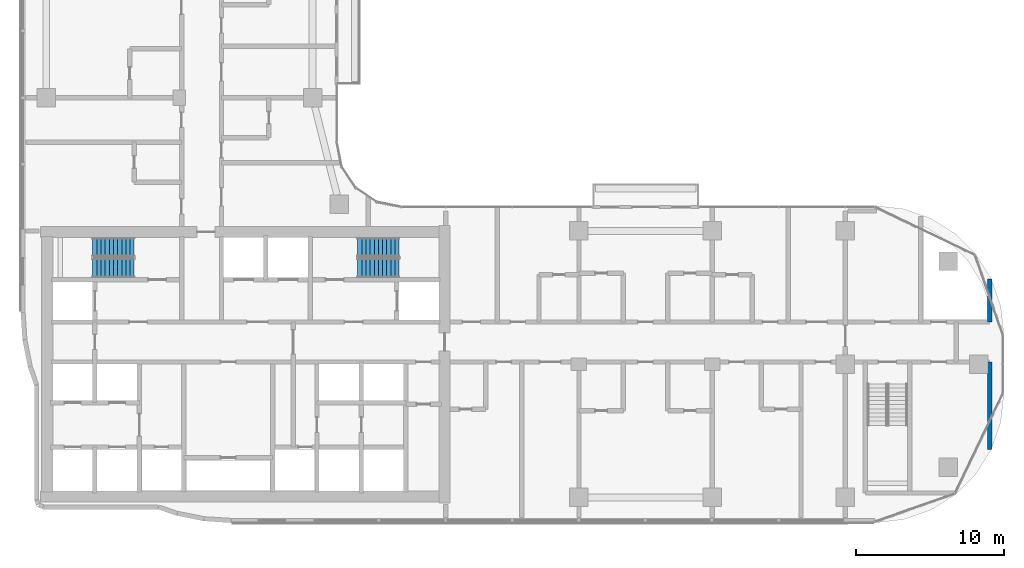
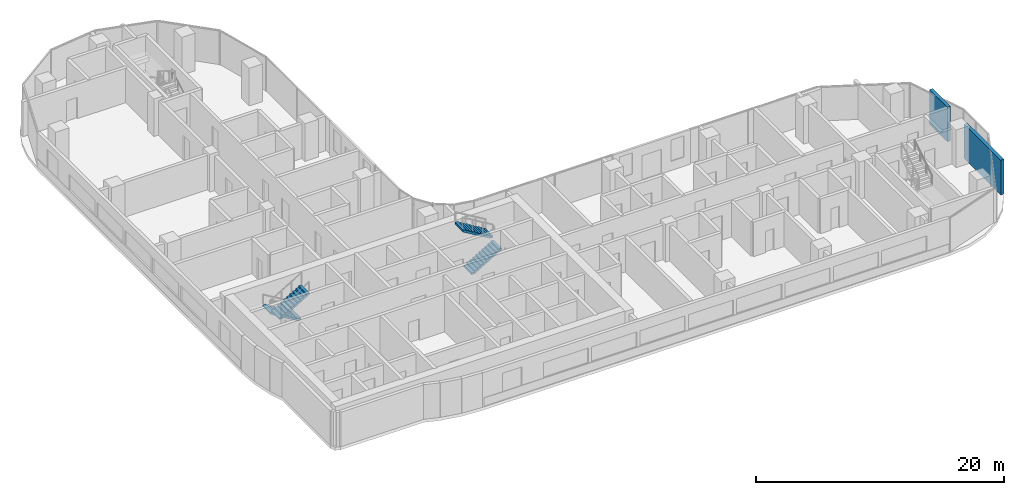
# One storey, part 14 of 23: 4 stair flights, 2 walls, 2 elements without a shape of their own.
"""IFC4 building model written with IfcOpenShell, lengths in metres."""

from ifc_helpers import new_model, si_unit, direction, frame, frame_2d, origin, place, context, subcontext, project, spatial, rectangle, extrude, triangles, source, transform, mapped, material, layer, layer_set, type_object, element, aggregate, save


model = new_model("IFC4")

# Units and contexts
model_context = context("Model", 3, precision=1e-05, world=origin(), true_north=direction((0.0, 1.0)))
body_context = subcontext(model_context, "Body", "Model", "MODEL_VIEW")
ifc_project = project(units=[si_unit("LENGTHUNIT", "METRE"), si_unit("AREAUNIT", "SQUARE_METRE"), si_unit("VOLUMEUNIT", "CUBIC_METRE"), si_unit("PLANEANGLEUNIT", "RADIAN"), si_unit("MASSUNIT", "GRAM", prefix="KILO")], contexts=[model_context])

# Site, building, storey
site_placement = place(None, origin())
site = spatial("IfcSite", under=ifc_project, at=site_placement, CompositionType="ELEMENT")
building_placement = place(site_placement, origin())
building = spatial("IfcBuilding", under=site, at=building_placement, Name="Ogive Portal Towers", CompositionType="ELEMENT")
storey_placement = place(building_placement, frame((0.0, 0.0, 127.800048828125)))
storey = spatial("IfcBuildingStorey", under=building, at=storey_placement, Name="L31", CompositionType="ELEMENT", Elevation=127.800048828125)

# Walls
ifc_material_1 = material(Name="Gypsum board partition on steel studs", Category="steel")
ifc_layer = layer(ifc_material_1, 0.300048828125)
ifc_layer_set = layer_set([ifc_layer], Name="WT-PART-300-EI 60")
wall_type = type_object("IfcWallType", Name="WT-PART-300-EI 60", PredefinedType="PARTITIONING", material=ifc_layer_set)
wall_1_placement = place(storey_placement, frame((95.25, 24.75390625, 0.0), z_axis=(0.0, 0.0, 1.0), x_axis=(0.0, 1.0, 0.0)))
element("IfcWall", 1, at=wall_1_placement, inside=storey, type_object=wall_type, Name="Wall L31:w066", PredefinedType="PARTITIONING", context=body_context, shape_type="SweptSolid", body=[
    extrude(rectangle(XDim=5.89599609375, YDim=0.300048828125, at=frame_2d((2.947998046875, 0.0))), origin(), (0.0, 0.0, 1.0), 3.39990234375),
])
wall_2_placement = place(storey_placement, frame((95.25, 33.35009765625, 0.0), z_axis=(0.0, 0.0, 1.0), x_axis=(0.0, 1.0, 0.0)))
element("IfcWall", 2, at=wall_2_placement, inside=storey, type_object=wall_type, Name="Wall L31:w067", PredefinedType="PARTITIONING", context=body_context, shape_type="SweptSolid", body=[
    extrude(rectangle(XDim=2.89599609375, YDim=0.300048828125, at=frame_2d((1.447998046875, 0.0))), origin(), (0.0, 0.0, 1.0), 3.39990234375),
])

# Stair, stair flights
ifc_material_2 = material(Name="Concrete C40/50", Category="concrete")
stair_type = type_object("IfcStairType", Name="INT-STAIR", PredefinedType="HALF_TURN_STAIR", material=ifc_material_2)
stair_1_placement = place(storey_placement, origin())
stair_1 = element("IfcStair", 3, at=stair_1_placement, inside=storey, type_object=stair_type, Name="L31 Exit Stair ST-A1", PredefinedType="HALF_TURN_STAIR")
stair_flight_type = type_object("IfcStairFlightType", Name="INT-FLIGHT", PredefinedType="STRAIGHT", material=ifc_material_2)
shared_shape = source(origin(), body_context, "Body", "Tessellation", [
    triangles([(0.0, -0.650146484375, 0.0), (0.0, -0.376220703125, 0.0), (0.0, -0.192626953125, 0.0), (0.0, -0.081298828125, 0.0), (0.0, -0.024169921875, 0.0), (0.0, -0.003173828125, 0.0), (0.0, 0.0, 0.0), (0.0, 0.0029296875, 0.0), (0.0, 0.02392578125, 0.0), (0.0, 0.0810546875, 0.0), (0.0, 0.1923828125, 0.0), (0.0, 0.3759765625, 0.0), (0.0, 0.64990234375, 0.0), (0.0, -0.650146484375, 0.168212890625), (0.0, -0.376220703125, 0.168212890625), (0.0, -0.192626953125, 0.168212890625), (0.0, -0.081298828125, 0.168212890625), (0.0, -0.024169921875, 0.168212890625), (0.0, -0.003173828125, 0.168212890625), (0.0, 0.0, 0.168212890625), (0.0, 0.0029296875, 0.168212890625), (0.0, 0.02392578125, 0.168212890625), (0.0, 0.0810546875, 0.168212890625), (0.0, 0.1923828125, 0.168212890625), (0.0, 0.3759765625, 0.168212890625), (0.0, 0.64990234375, 0.168212890625), (0.280029296875, -0.650146484375, 0.168212890625), (0.280029296875, -0.376220703125, 0.168212890625), (0.280029296875, -0.192626953125, 0.168212890625), (0.280029296875, -0.081298828125, 0.168212890625), (0.280029296875, -0.024169921875, 0.168212890625), (0.280029296875, -0.003173828125, 0.168212890625), (0.280029296875, 0.0, 0.168212890625), (0.280029296875, 0.0029296875, 0.168212890625), (0.280029296875, 0.02392578125, 0.168212890625), (0.280029296875, 0.0810546875, 0.168212890625), (0.280029296875, 0.1923828125, 0.168212890625), (0.280029296875, 0.3759765625, 0.168212890625), (0.280029296875, 0.64990234375, 0.168212890625), (0.280029296875, -0.650146484375, 0.33642578125), (0.280029296875, -0.376220703125, 0.33642578125), (0.280029296875, -0.192626953125, 0.33642578125), (0.280029296875, -0.081298828125, 0.33642578125), (0.280029296875, -0.024169921875, 0.33642578125), (0.280029296875, -0.003173828125, 0.33642578125), (0.280029296875, 0.0, 0.33642578125), (0.280029296875, 0.0029296875, 0.33642578125), (0.280029296875, 0.02392578125, 0.33642578125), (0.280029296875, 0.0810546875, 0.33642578125), (0.280029296875, 0.1923828125, 0.33642578125), (0.280029296875, 0.3759765625, 0.33642578125), (0.280029296875, 0.64990234375, 0.33642578125), (0.56005859375, -0.650146484375, 0.33642578125), (0.56005859375, -0.376220703125, 0.33642578125), (0.56005859375, -0.192626953125, 0.33642578125), (0.56005859375, -0.081298828125, 0.33642578125), (0.56005859375, -0.024169921875, 0.33642578125), (0.56005859375, -0.003173828125, 0.33642578125), (0.56005859375, 0.0, 0.33642578125), (0.56005859375, 0.0029296875, 0.33642578125), (0.56005859375, 0.02392578125, 0.33642578125), (0.56005859375, 0.0810546875, 0.33642578125), (0.56005859375, 0.1923828125, 0.33642578125), (0.56005859375, 0.3759765625, 0.33642578125), (0.56005859375, 0.64990234375, 0.33642578125), (0.56005859375, -0.650146484375, 0.504638671875), (0.56005859375, -0.376220703125, 0.504638671875), (0.56005859375, -0.192626953125, 0.504638671875), (0.56005859375, -0.081298828125, 0.504638671875), (0.56005859375, -0.024169921875, 0.504638671875), (0.56005859375, -0.003173828125, 0.504638671875), (0.56005859375, 0.0, 0.504638671875), (0.56005859375, 0.0029296875, 0.504638671875), (0.56005859375, 0.02392578125, 0.504638671875), (0.56005859375, 0.0810546875, 0.504638671875), (0.56005859375, 0.1923828125, 0.504638671875), (0.56005859375, 0.3759765625, 0.504638671875), (0.56005859375, 0.64990234375, 0.504638671875), (0.840087890625, -0.650146484375, 0.504638671875), (0.840087890625, -0.376220703125, 0.504638671875), (0.840087890625, -0.192626953125, 0.504638671875), (0.840087890625, -0.081298828125, 0.504638671875), (0.840087890625, -0.024169921875, 0.504638671875), (0.840087890625, -0.003173828125, 0.504638671875), (0.840087890625, 0.0, 0.504638671875), (0.840087890625, 0.0029296875, 0.504638671875), (0.840087890625, 0.02392578125, 0.504638671875), (0.840087890625, 0.0810546875, 0.504638671875), (0.840087890625, 0.1923828125, 0.504638671875), (0.840087890625, 0.3759765625, 0.504638671875), (0.840087890625, 0.64990234375, 0.504638671875), (0.840087890625, -0.650146484375, 0.672607421875), (0.840087890625, -0.376220703125, 0.672607421875), (0.840087890625, -0.192626953125, 0.672607421875), (0.840087890625, -0.081298828125, 0.672607421875), (0.840087890625, -0.024169921875, 0.672607421875), (0.840087890625, -0.003173828125, 0.672607421875), (0.840087890625, 0.0, 0.672607421875), (0.840087890625, 0.0029296875, 0.672607421875), (0.840087890625, 0.02392578125, 0.672607421875), (0.840087890625, 0.0810546875, 0.672607421875), (0.840087890625, 0.1923828125, 0.672607421875), (0.840087890625, 0.3759765625, 0.672607421875), (0.840087890625, 0.64990234375, 0.672607421875), (1.1201171875, -0.650146484375, 0.672607421875), (1.1201171875, -0.376220703125, 0.672607421875), (1.1201171875, -0.192626953125, 0.672607421875), (1.1201171875, -0.081298828125, 0.672607421875), (1.1201171875, -0.024169921875, 0.672607421875), (1.1201171875, -0.003173828125, 0.672607421875), (1.1201171875, 0.0, 0.672607421875), (1.1201171875, 0.0029296875, 0.672607421875), (1.1201171875, 0.02392578125, 0.672607421875), (1.1201171875, 0.0810546875, 0.672607421875), (1.1201171875, 0.1923828125, 0.672607421875), (1.1201171875, 0.3759765625, 0.672607421875), (1.1201171875, 0.64990234375, 0.672607421875), (1.1201171875, -0.650146484375, 0.8408203125), (1.1201171875, -0.376220703125, 0.8408203125), (1.1201171875, -0.192626953125, 0.8408203125), (1.1201171875, -0.081298828125, 0.8408203125), (1.1201171875, -0.024169921875, 0.8408203125), (1.1201171875, -0.003173828125, 0.8408203125), (1.1201171875, 0.0, 0.8408203125), (1.1201171875, 0.0029296875, 0.8408203125), (1.1201171875, 0.02392578125, 0.8408203125), (1.1201171875, 0.0810546875, 0.8408203125), (1.1201171875, 0.1923828125, 0.8408203125), (1.1201171875, 0.3759765625, 0.8408203125), (1.1201171875, 0.64990234375, 0.8408203125), (1.39990234375, -0.650146484375, 0.8408203125), (1.39990234375, -0.376220703125, 0.8408203125), (1.39990234375, -0.192626953125, 0.8408203125), (1.39990234375, -0.081298828125, 0.8408203125), (1.39990234375, -0.024169921875, 0.8408203125), (1.39990234375, -0.003173828125, 0.8408203125), (1.39990234375, 0.0, 0.8408203125), (1.39990234375, 0.0029296875, 0.8408203125), (1.39990234375, 0.02392578125, 0.8408203125), (1.39990234375, 0.0810546875, 0.8408203125), (1.39990234375, 0.1923828125, 0.8408203125), (1.39990234375, 0.3759765625, 0.8408203125), (1.39990234375, 0.64990234375, 0.8408203125), (1.39990234375, -0.650146484375, 1.009033203125), (1.39990234375, -0.376220703125, 1.009033203125), (1.39990234375, -0.192626953125, 1.009033203125), (1.39990234375, -0.081298828125, 1.009033203125), (1.39990234375, -0.024169921875, 1.009033203125), (1.39990234375, -0.003173828125, 1.009033203125), (1.39990234375, 0.0, 1.009033203125), (1.39990234375, 0.0029296875, 1.009033203125), (1.39990234375, 0.02392578125, 1.009033203125), (1.39990234375, 0.0810546875, 1.009033203125), (1.39990234375, 0.1923828125, 1.009033203125), (1.39990234375, 0.3759765625, 1.009033203125), (1.39990234375, 0.64990234375, 1.009033203125), (1.679931640625, -0.650146484375, 1.009033203125), (1.679931640625, -0.376220703125, 1.009033203125), (1.679931640625, -0.192626953125, 1.009033203125), (1.679931640625, -0.081298828125, 1.009033203125), (1.679931640625, -0.024169921875, 1.009033203125), (1.679931640625, -0.003173828125, 1.009033203125), (1.679931640625, 0.0, 1.009033203125), (1.679931640625, 0.0029296875, 1.009033203125), (1.679931640625, 0.02392578125, 1.009033203125), (1.679931640625, 0.0810546875, 1.009033203125), (1.679931640625, 0.1923828125, 1.009033203125), (1.679931640625, 0.3759765625, 1.009033203125), (1.679931640625, 0.64990234375, 1.009033203125), (1.679931640625, -0.650146484375, 1.17724609375), (1.679931640625, -0.376220703125, 1.17724609375), (1.679931640625, -0.192626953125, 1.17724609375), (1.679931640625, -0.081298828125, 1.17724609375), (1.679931640625, -0.024169921875, 1.17724609375), (1.679931640625, -0.003173828125, 1.17724609375), (1.679931640625, 0.0, 1.17724609375), (1.679931640625, 0.0029296875, 1.17724609375), (1.679931640625, 0.02392578125, 1.17724609375), (1.679931640625, 0.0810546875, 1.17724609375), (1.679931640625, 0.1923828125, 1.17724609375), (1.679931640625, 0.3759765625, 1.17724609375), (1.679931640625, 0.64990234375, 1.17724609375), (1.9599609375, -0.650146484375, 1.17724609375), (1.9599609375, -0.376220703125, 1.17724609375), (1.9599609375, -0.192626953125, 1.17724609375), (1.9599609375, -0.081298828125, 1.17724609375), (1.9599609375, -0.024169921875, 1.17724609375), (1.9599609375, -0.003173828125, 1.17724609375), (1.9599609375, 0.0, 1.17724609375), (1.9599609375, 0.0029296875, 1.17724609375), (1.9599609375, 0.02392578125, 1.17724609375), (1.9599609375, 0.0810546875, 1.17724609375), (1.9599609375, 0.1923828125, 1.17724609375), (1.9599609375, 0.3759765625, 1.17724609375), (1.9599609375, 0.64990234375, 1.17724609375), (1.9599609375, -0.650146484375, 1.345458984375), (1.9599609375, -0.376220703125, 1.345458984375), (1.9599609375, -0.192626953125, 1.345458984375), (1.9599609375, -0.081298828125, 1.345458984375), (1.9599609375, -0.024169921875, 1.345458984375), (1.9599609375, -0.003173828125, 1.345458984375), (1.9599609375, 0.0, 1.345458984375), (1.9599609375, 0.0029296875, 1.345458984375), (1.9599609375, 0.02392578125, 1.345458984375), (1.9599609375, 0.0810546875, 1.345458984375), (1.9599609375, 0.1923828125, 1.345458984375), (1.9599609375, 0.3759765625, 1.345458984375), (1.9599609375, 0.64990234375, 1.345458984375), (2.239990234375, -0.650146484375, 1.345458984375), (2.239990234375, -0.376220703125, 1.345458984375), (2.239990234375, -0.192626953125, 1.345458984375), (2.239990234375, -0.081298828125, 1.345458984375), (2.239990234375, -0.024169921875, 1.345458984375), (2.239990234375, -0.003173828125, 1.345458984375), (2.239990234375, 0.0, 1.345458984375), (2.239990234375, 0.0029296875, 1.345458984375), (2.239990234375, 0.02392578125, 1.345458984375), (2.239990234375, 0.0810546875, 1.345458984375), (2.239990234375, 0.1923828125, 1.345458984375), (2.239990234375, 0.3759765625, 1.345458984375), (2.239990234375, 0.64990234375, 1.345458984375), (2.239990234375, -0.650146484375, 1.513671875), (2.239990234375, -0.376220703125, 1.513671875), (2.239990234375, -0.192626953125, 1.513671875), (2.239990234375, -0.081298828125, 1.513671875), (2.239990234375, -0.024169921875, 1.513671875), (2.239990234375, -0.003173828125, 1.513671875), (2.239990234375, 0.0, 1.513671875), (2.239990234375, 0.0029296875, 1.513671875), (2.239990234375, 0.02392578125, 1.513671875), (2.239990234375, 0.0810546875, 1.513671875), (2.239990234375, 0.1923828125, 1.513671875), (2.239990234375, 0.3759765625, 1.513671875), (2.239990234375, 0.64990234375, 1.513671875), (2.52001953125, -0.650146484375, 1.513671875), (2.52001953125, -0.376220703125, 1.513671875), (2.52001953125, -0.192626953125, 1.513671875), (2.52001953125, -0.081298828125, 1.513671875), (2.52001953125, -0.024169921875, 1.513671875), (2.52001953125, -0.003173828125, 1.513671875), (2.52001953125, 0.0, 1.513671875), (2.52001953125, 0.0029296875, 1.513671875), (2.52001953125, 0.02392578125, 1.513671875), (2.52001953125, 0.0810546875, 1.513671875), (2.52001953125, 0.1923828125, 1.513671875), (2.52001953125, 0.3759765625, 1.513671875), (2.52001953125, 0.64990234375, 1.513671875), (2.52001953125, -0.650146484375, 1.681884765625), (2.52001953125, -0.376220703125, 1.681884765625), (2.52001953125, -0.192626953125, 1.681884765625), (2.52001953125, -0.081298828125, 1.681884765625), (2.52001953125, -0.024169921875, 1.681884765625), (2.52001953125, -0.003173828125, 1.681884765625), (2.52001953125, 0.0, 1.681884765625), (2.52001953125, 0.0029296875, 1.681884765625), (2.52001953125, 0.02392578125, 1.681884765625), (2.52001953125, 0.0810546875, 1.681884765625), (2.52001953125, 0.1923828125, 1.681884765625), (2.52001953125, 0.3759765625, 1.681884765625), (2.52001953125, 0.64990234375, 1.681884765625), (2.800048828125, -0.650146484375, 1.681884765625), (2.800048828125, -0.376220703125, 1.681884765625), (2.800048828125, -0.192626953125, 1.681884765625), (2.800048828125, -0.081298828125, 1.681884765625), (2.800048828125, -0.024169921875, 1.681884765625), (2.800048828125, -0.003173828125, 1.681884765625), (2.800048828125, 0.0, 1.681884765625), (2.800048828125, 0.0029296875, 1.681884765625), (2.800048828125, 0.02392578125, 1.681884765625), (2.800048828125, 0.0810546875, 1.681884765625), (2.800048828125, 0.1923828125, 1.681884765625), (2.800048828125, 0.3759765625, 1.681884765625), (2.800048828125, 0.64990234375, 1.681884765625), (2.800048828125, -0.650146484375, 1.5068359375), (2.800048828125, -0.376220703125, 1.5068359375), (2.800048828125, -0.192626953125, 1.5068359375), (2.800048828125, -0.081298828125, 1.5068359375), (2.800048828125, -0.024169921875, 1.5068359375), (2.800048828125, -0.003173828125, 1.5068359375), (2.800048828125, 0.0, 1.5068359375), (2.800048828125, 0.0029296875, 1.5068359375), (2.800048828125, 0.02392578125, 1.5068359375), (2.800048828125, 0.0810546875, 1.5068359375), (2.800048828125, 0.1923828125, 1.5068359375), (2.800048828125, 0.3759765625, 1.5068359375), (2.800048828125, 0.64990234375, 1.5068359375), (0.291015625, -0.650146484375, 0.0), (0.291015625, -0.376220703125, 0.0), (0.291015625, -0.192626953125, 0.0), (0.291015625, -0.081298828125, 0.0), (0.291015625, -0.024169921875, 0.0), (0.291015625, -0.003173828125, 0.0), (0.291015625, 0.0, 0.0), (0.291015625, 0.0029296875, 0.0), (0.291015625, 0.02392578125, 0.0), (0.291015625, 0.0810546875, 0.0), (0.291015625, 0.1923828125, 0.0), (0.291015625, 0.3759765625, 0.0), (0.291015625, 0.64990234375, 0.0)], [[1, 14, 15], [1, 15, 2], [2, 15, 16], [2, 16, 3], [3, 16, 17], [3, 17, 4], [4, 17, 18], [4, 18, 5], [5, 18, 19], [5, 19, 6], [6, 19, 20], [6, 20, 7], [7, 20, 21], [7, 21, 8], [8, 21, 22], [8, 22, 9], [9, 22, 23], [9, 23, 10], [10, 23, 24], [10, 24, 11], [11, 24, 25], [11, 25, 12], [12, 25, 26], [12, 26, 13], [14, 27, 28], [14, 28, 15], [15, 28, 29], [15, 29, 16], [16, 29, 30], [16, 30, 17], [17, 30, 31], [17, 31, 18], [18, 31, 32], [18, 32, 19], [19, 32, 33], [19, 33, 20], [20, 33, 34], [20, 34, 21], [21, 34, 35], [21, 35, 22], [22, 35, 36], [22, 36, 23], [23, 36, 37], [23, 37, 24], [24, 37, 38], [24, 38, 25], [25, 38, 39], [25, 39, 26], [27, 40, 41], [27, 41, 28], [28, 41, 42], [28, 42, 29], [29, 42, 43], [29, 43, 30], [30, 43, 44], [30, 44, 31], [31, 44, 45], [31, 45, 32], [32, 45, 46], [32, 46, 33], [33, 46, 47], [33, 47, 34], [34, 47, 48], [34, 48, 35], [35, 48, 49], [35, 49, 36], [36, 49, 50], [36, 50, 37], [37, 50, 51], [37, 51, 38], [38, 51, 52], [38, 52, 39], [40, 53, 54], [40, 54, 41], [41, 54, 55], [41, 55, 42], [42, 55, 56], [42, 56, 43], [43, 56, 57], [43, 57, 44], [44, 57, 58], [44, 58, 45], [45, 58, 59], [45, 59, 46], [46, 59, 60], [46, 60, 47], [47, 60, 61], [47, 61, 48], [48, 61, 62], [48, 62, 49], [49, 62, 63], [49, 63, 50], [50, 63, 64], [50, 64, 51], [51, 64, 65], [51, 65, 52], [53, 66, 67], [53, 67, 54], [54, 67, 68], [54, 68, 55], [55, 68, 69], [55, 69, 56], [56, 69, 70], [56, 70, 57], [57, 70, 71], [57, 71, 58], [58, 71, 72], [58, 72, 59], [59, 72, 73], [59, 73, 60], [60, 73, 74], [60, 74, 61], [61, 74, 75], [61, 75, 62], [62, 75, 76], [62, 76, 63], [63, 76, 77], [63, 77, 64], [64, 77, 78], [64, 78, 65], [66, 79, 80], [66, 80, 67], [67, 80, 81], [67, 81, 68], [68, 81, 82], [68, 82, 69], [69, 82, 83], [69, 83, 70], [70, 83, 84], [70, 84, 71], [71, 84, 85], [71, 85, 72], [72, 85, 86], [72, 86, 73], [73, 86, 87], [73, 87, 74], [74, 87, 88], [74, 88, 75], [75, 88, 89], [75, 89, 76], [76, 89, 90], [76, 90, 77], [77, 90, 91], [77, 91, 78], [79, 92, 93], [79, 93, 80], [80, 93, 94], [80, 94, 81], [81, 94, 95], [81, 95, 82], [82, 95, 96], [82, 96, 83], [83, 96, 97], [83, 97, 84], [84, 97, 98], [84, 98, 85], [85, 98, 99], [85, 99, 86], [86, 99, 100], [86, 100, 87], [87, 100, 101], [87, 101, 88], [88, 101, 102], [88, 102, 89], [89, 102, 103], [89, 103, 90], [90, 103, 104], [90, 104, 91], [92, 105, 106], [92, 106, 93], [93, 106, 107], [93, 107, 94], [94, 107, 108], [94, 108, 95], [95, 108, 109], [95, 109, 96], [96, 109, 110], [96, 110, 97], [97, 110, 111], [97, 111, 98], [98, 111, 112], [98, 112, 99], [99, 112, 113], [99, 113, 100], [100, 113, 114], [100, 114, 101], [101, 114, 115], [101, 115, 102], [102, 115, 116], [102, 116, 103], [103, 116, 117], [103, 117, 104], [105, 118, 119], [105, 119, 106], [106, 119, 120], [106, 120, 107], [107, 120, 121], [107, 121, 108], [108, 121, 122], [108, 122, 109], [109, 122, 123], [109, 123, 110], [110, 123, 124], [110, 124, 111], [111, 124, 125], [111, 125, 112], [112, 125, 126], [112, 126, 113], [113, 126, 127], [113, 127, 114], [114, 127, 128], [114, 128, 115], [115, 128, 129], [115, 129, 116], [116, 129, 130], [116, 130, 117], [118, 131, 132], [118, 132, 119], [119, 132, 133], [119, 133, 120], [120, 133, 134], [120, 134, 121], [121, 134, 135], [121, 135, 122], [122, 135, 136], [122, 136, 123], [123, 136, 137], [123, 137, 124], [124, 137, 138], [124, 138, 125], [125, 138, 139], [125, 139, 126], [126, 139, 140], [126, 140, 127], [127, 140, 141], [127, 141, 128], [128, 141, 142], [128, 142, 129], [129, 142, 143], [129, 143, 130], [131, 144, 145], [131, 145, 132], [132, 145, 146], [132, 146, 133], [133, 146, 147], [133, 147, 134], [134, 147, 148], [134, 148, 135], [135, 148, 149], [135, 149, 136], [136, 149, 150], [136, 150, 137], [137, 150, 151], [137, 151, 138], [138, 151, 152], [138, 152, 139], [139, 152, 153], [139, 153, 140], [140, 153, 154], [140, 154, 141], [141, 154, 155], [141, 155, 142], [142, 155, 156], [142, 156, 143], [144, 157, 158], [144, 158, 145], [145, 158, 159], [145, 159, 146], [146, 159, 160], [146, 160, 147], [147, 160, 161], [147, 161, 148], [148, 161, 162], [148, 162, 149], [149, 162, 163], [149, 163, 150], [150, 163, 164], [150, 164, 151], [151, 164, 165], [151, 165, 152], [152, 165, 166], [152, 166, 153], [153, 166, 167], [153, 167, 154], [154, 167, 168], [154, 168, 155], [155, 168, 169], [155, 169, 156], [157, 170, 171], [157, 171, 158], [158, 171, 172], [158, 172, 159], [159, 172, 173], [159, 173, 160], [160, 173, 174], [160, 174, 161], [161, 174, 175], [161, 175, 162], [162, 175, 176], [162, 176, 163], [163, 176, 177], [163, 177, 164], [164, 177, 178], [164, 178, 165], [165, 178, 179], [165, 179, 166], [166, 179, 180], [166, 180, 167], [167, 180, 181], [167, 181, 168], [168, 181, 182], [168, 182, 169], [170, 183, 184], [170, 184, 171], [171, 184, 185], [171, 185, 172], [172, 185, 186], [172, 186, 173], [173, 186, 187], [173, 187, 174], [174, 187, 188], [174, 188, 175], [175, 188, 189], [175, 189, 176], [176, 189, 190], [176, 190, 177], [177, 190, 191], [177, 191, 178], [178, 191, 192], [178, 192, 179], [179, 192, 193], [179, 193, 180], [180, 193, 194], [180, 194, 181], [181, 194, 195], [181, 195, 182], [183, 196, 197], [183, 197, 184], [184, 197, 198], [184, 198, 185], [185, 198, 199], [185, 199, 186], [186, 199, 200], [186, 200, 187], [187, 200, 201], [187, 201, 188], [188, 201, 202], [188, 202, 189], [189, 202, 203], [189, 203, 190], [190, 203, 204], [190, 204, 191], [191, 204, 205], [191, 205, 192], [192, 205, 206], [192, 206, 193], [193, 206, 207], [193, 207, 194], [194, 207, 208], [194, 208, 195], [196, 209, 210], [196, 210, 197], [197, 210, 211], [197, 211, 198], [198, 211, 212], [198, 212, 199], [199, 212, 213], [199, 213, 200], [200, 213, 214], [200, 214, 201], [201, 214, 215], [201, 215, 202], [202, 215, 216], [202, 216, 203], [203, 216, 217], [203, 217, 204], [204, 217, 218], [204, 218, 205], [205, 218, 219], [205, 219, 206], [206, 219, 220], [206, 220, 207], [207, 220, 221], [207, 221, 208], [209, 222, 223], [209, 223, 210], [210, 223, 224], [210, 224, 211], [211, 224, 225], [211, 225, 212], [212, 225, 226], [212, 226, 213], [213, 226, 227], [213, 227, 214], [214, 227, 228], [214, 228, 215], [215, 228, 229], [215, 229, 216], [216, 229, 230], [216, 230, 217], [217, 230, 231], [217, 231, 218], [218, 231, 232], [218, 232, 219], [219, 232, 233], [219, 233, 220], [220, 233, 234], [220, 234, 221], [222, 235, 236], [222, 236, 223], [223, 236, 237], [223, 237, 224], [224, 237, 238], [224, 238, 225], [225, 238, 239], [225, 239, 226], [226, 239, 240], [226, 240, 227], [227, 240, 241], [227, 241, 228], [228, 241, 242], [228, 242, 229], [229, 242, 243], [229, 243, 230], [230, 243, 244], [230, 244, 231], [231, 244, 245], [231, 245, 232], [232, 245, 246], [232, 246, 233], [233, 246, 247], [233, 247, 234], [235, 248, 249], [235, 249, 236], [236, 249, 250], [236, 250, 237], [237, 250, 251], [237, 251, 238], [238, 251, 252], [238, 252, 239], [239, 252, 253], [239, 253, 240], [240, 253, 254], [240, 254, 241], [241, 254, 255], [241, 255, 242], [242, 255, 256], [242, 256, 243], [243, 256, 257], [243, 257, 244], [244, 257, 258], [244, 258, 245], [245, 258, 259], [245, 259, 246], [246, 259, 260], [246, 260, 247], [248, 261, 262], [248, 262, 249], [249, 262, 263], [249, 263, 250], [250, 263, 264], [250, 264, 251], [251, 264, 265], [251, 265, 252], [252, 265, 266], [252, 266, 253], [253, 266, 267], [253, 267, 254], [254, 267, 268], [254, 268, 255], [255, 268, 269], [255, 269, 256], [256, 269, 270], [256, 270, 257], [257, 270, 271], [257, 271, 258], [258, 271, 272], [258, 272, 259], [259, 272, 273], [259, 273, 260], [261, 274, 275], [261, 275, 262], [262, 275, 276], [262, 276, 263], [263, 276, 277], [263, 277, 264], [264, 277, 278], [264, 278, 265], [265, 278, 279], [265, 279, 266], [266, 279, 280], [266, 280, 267], [267, 280, 281], [267, 281, 268], [268, 281, 282], [268, 282, 269], [269, 282, 283], [269, 283, 270], [270, 283, 284], [270, 284, 271], [271, 284, 285], [271, 285, 272], [272, 285, 286], [272, 286, 273], [274, 287, 288], [274, 288, 275], [275, 288, 289], [275, 289, 276], [276, 289, 290], [276, 290, 277], [277, 290, 291], [277, 291, 278], [278, 291, 292], [278, 292, 279], [279, 292, 293], [279, 293, 280], [280, 293, 294], [280, 294, 281], [281, 294, 295], [281, 295, 282], [282, 295, 296], [282, 296, 283], [283, 296, 297], [283, 297, 284], [284, 297, 298], [284, 298, 285], [285, 298, 299], [285, 299, 286], [287, 1, 2], [287, 2, 288], [288, 2, 3], [288, 3, 289], [289, 3, 4], [289, 4, 290], [290, 4, 5], [290, 5, 291], [291, 5, 6], [291, 6, 292], [292, 6, 7], [292, 7, 293], [293, 7, 8], [293, 8, 294], [294, 8, 9], [294, 9, 295], [295, 9, 10], [295, 10, 296], [296, 10, 11], [296, 11, 297], [297, 11, 12], [297, 12, 298], [298, 12, 13], [298, 13, 299], [1, 287, 274], [13, 286, 299], [274, 261, 248], [286, 260, 273], [274, 248, 235], [286, 247, 260], [274, 235, 222], [286, 234, 247], [274, 222, 209], [286, 221, 234], [209, 196, 183], [221, 195, 208], [274, 209, 183], [286, 195, 221], [183, 170, 157], [195, 169, 182], [274, 183, 157], [286, 169, 195], [157, 144, 131], [169, 143, 156], [274, 157, 131], [286, 143, 169], [131, 118, 105], [143, 117, 130], [274, 131, 105], [286, 117, 143], [1, 274, 105], [13, 117, 286], [105, 92, 79], [117, 91, 104], [79, 66, 53], [91, 65, 78], [105, 79, 53], [117, 65, 91], [53, 40, 27], [65, 39, 52], [105, 53, 27], [117, 39, 65], [1, 105, 27], [13, 39, 117], [27, 14, 1], [39, 13, 26]], closed=True),
])
stair_flight_1_placement = place(storey_placement, frame((37.449951171875, 38.39990234375, 0.0), z_axis=(0.0, 0.0, 1.0), x_axis=(-1.0, 0.0, 0.0)))
stair_flight_1 = element("IfcStairFlight", 4, at=stair_flight_1_placement, type_object=stair_flight_type, Name="ST-A1 flight 1", NumberOfRisers=11, NumberOfTreads=10, PredefinedType="STRAIGHT", RiserHeight=0.168181818, TreadLength=0.28, context=body_context, shape_type="MappedRepresentation", body=[
    mapped(shared_shape, transform((0.0, 0.0, 0.0), scale=1.0)),
])
stair_flight_2_placement = place(storey_placement, frame((34.64990234375, 37.0, 1.849853515625), z_axis=(0.0, 0.0, 1.0), x_axis=(1.0, 0.0, 0.0)))
stair_flight_2 = element("IfcStairFlight", 5, at=stair_flight_2_placement, type_object=stair_flight_type, Name="ST-A1 flight 2", NumberOfRisers=11, NumberOfTreads=10, PredefinedType="STRAIGHT", RiserHeight=0.168181818, TreadLength=0.28, context=body_context, shape_type="MappedRepresentation", body=[
    mapped(shared_shape, transform((0.0, 0.0, 0.0), scale=1.0)),
])
aggregate(stair_1, [stair_flight_1, stair_flight_2])

stair_2_placement = place(storey_placement, origin())
stair_2 = element("IfcStair", 6, at=stair_2_placement, inside=storey, type_object=stair_type, Name="L31 Exit Stair ST-A2", PredefinedType="HALF_TURN_STAIR")
stair_flight_3_placement = place(storey_placement, frame((52.550048828125, 37.0, 0.0), z_axis=(0.0, 0.0, 1.0), x_axis=(1.0, 0.0, 0.0)))
stair_flight_3 = element("IfcStairFlight", 7, at=stair_flight_3_placement, type_object=stair_flight_type, Name="ST-A2 flight 1", NumberOfRisers=11, NumberOfTreads=10, PredefinedType="STRAIGHT", RiserHeight=0.168181818, TreadLength=0.28, context=body_context, shape_type="MappedRepresentation", body=[
    mapped(shared_shape, transform((0.0, 0.0, 0.0), scale=1.0)),
])
stair_flight_4_placement = place(storey_placement, frame((55.35009765625, 38.39990234375, 1.849853515625), z_axis=(0.0, 0.0, 1.0), x_axis=(-1.0, 0.0, 0.0)))
stair_flight_4 = element("IfcStairFlight", 8, at=stair_flight_4_placement, type_object=stair_flight_type, Name="ST-A2 flight 2", NumberOfRisers=11, NumberOfTreads=10, PredefinedType="STRAIGHT", RiserHeight=0.168181818, TreadLength=0.28, context=body_context, shape_type="MappedRepresentation", body=[
    mapped(shared_shape, transform((0.0, 0.0, 0.0), scale=1.0)),
])
aggregate(stair_2, [stair_flight_3, stair_flight_4])

save(model, "model.ifc")
